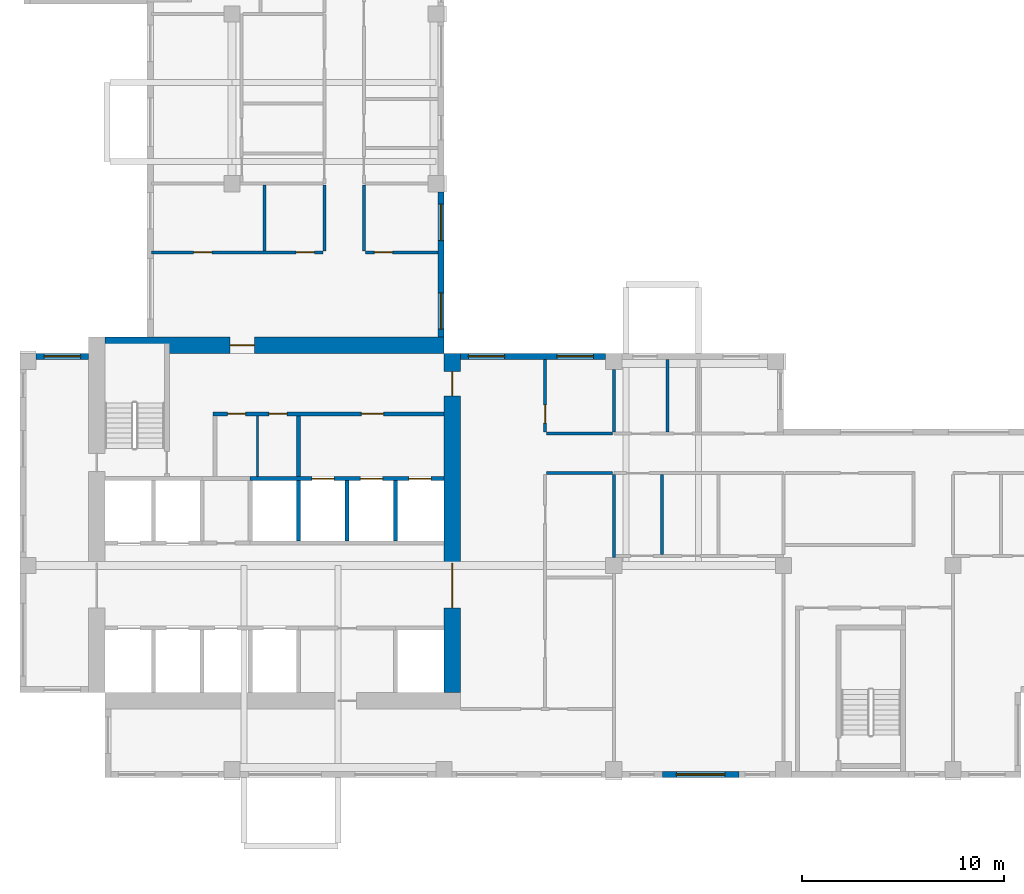
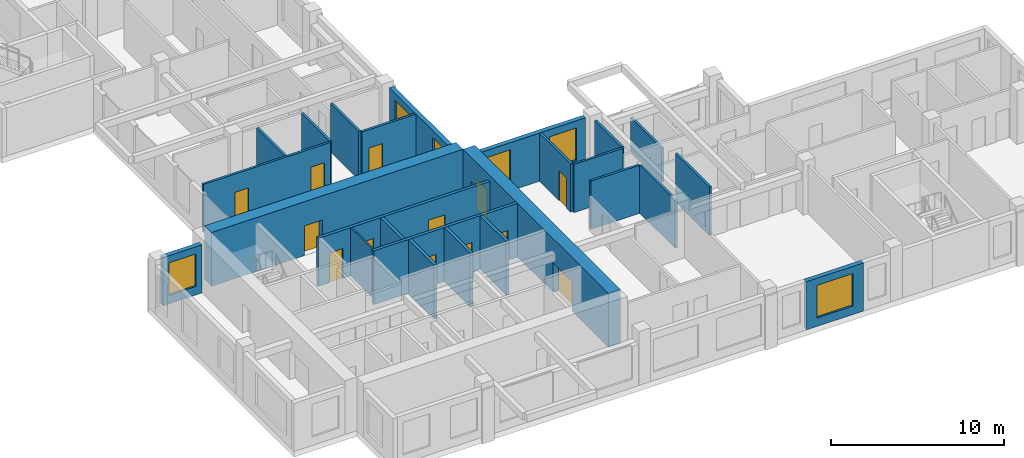
# One storey, part 3 of 11: 25 walls, 13 doors, 6 windows, 19 openings.
"""IFC4 building model written with IfcOpenShell, lengths in metres."""

from ifc_helpers import new_model, si_unit, direction, frame, frame_2d, origin, place, context, subcontext, project, spatial, rectangle, extrude, source, transform, mapped, material, layer, layer_set, type_object, element, fill, save


model = new_model("IFC4")

# Units and contexts
model_context = context("Model", 3, precision=1e-05, world=origin(), true_north=direction((0.0, 1.0)))
body_context = subcontext(model_context, "Body", "Model", "MODEL_VIEW")
ifc_project = project(units=[si_unit("LENGTHUNIT", "METRE"), si_unit("AREAUNIT", "SQUARE_METRE"), si_unit("VOLUMEUNIT", "CUBIC_METRE"), si_unit("PLANEANGLEUNIT", "RADIAN"), si_unit("MASSUNIT", "GRAM", prefix="KILO")], contexts=[model_context])

# Site, building, storey
site_placement = place(None, origin())
site = spatial("IfcSite", under=ifc_project, at=site_placement, CompositionType="ELEMENT")
building_placement = place(site_placement, origin())
building = spatial("IfcBuilding", under=site, at=building_placement, Name="Aurelian Terraces", CompositionType="ELEMENT")
storey_placement = place(building_placement, frame((0.0, 0.0, 250.0)))
storey = spatial("IfcBuildingStorey", under=building, at=storey_placement, Name="L57", CompositionType="ELEMENT", Elevation=250.0)

# Wall, openings, doors
ifc_material_1 = material(Name="Concrete fc' 70 MPa", Category="concrete")
ifc_layer_1 = layer(ifc_material_1, 0.8)
ifc_layer_set_1 = layer_set([ifc_layer_1], Name="CORE WALL 800 FC70")
wall_type_1 = type_object("IfcWallType", Name="CORE WALL 800 FC70", PredefinedType="SHEAR", material=ifc_layer_set_1)
shared_shape_1 = source(origin(), body_context, "Body", "SweptSolid", [
    extrude(rectangle(XDim=16.8, YDim=0.8, at=frame_2d((8.4, 0.0))), origin(), (0.0, 0.0, 1.0), 3.8),
])
wall_1_placement = place(storey_placement, frame((21.4, 4.2, 0.0), z_axis=(0.0, 0.0, 1.0), x_axis=(0.0, 1.0, 0.0)))
wall_1 = element("IfcWall", 1, at=wall_1_placement, inside=storey, type_object=wall_type_1, Name="Core wall E L57", PredefinedType="SHEAR", context=body_context, shape_type="MappedRepresentation", body=[
    mapped(shared_shape_1, transform((0.0, 0.0, 0.0), scale=1.0)),
])
shared_shape_2 = source(origin(), body_context, "Body", "SweptSolid", [
    extrude(rectangle(XDim=2.2, YDim=2.1, at=frame_2d((1.1, 1.05))), frame((0.0, 0.41, 0.0), z_axis=(0.0, -1.0, 0.0), x_axis=(1.0, 0.0, 0.0)), (0.0, 0.0, 1.0), 0.82),
])
opening_1_placement = place(wall_1_placement, frame((4.2, 0.0, 0.0)))
opening_1 = element("IfcOpeningElement", 2, at=opening_1_placement, cuts=wall_1, Name="Opening 66021", PredefinedType="OPENING", context=body_context, shape_type="MappedRepresentation", body=[
    mapped(shared_shape_2, transform((0.0, 0.0, 0.0), scale=1.0)),
])
shared_shape_3 = source(origin(), body_context, "Body", "SweptSolid", [
    extrude(rectangle(XDim=1.2, YDim=2.1, at=frame_2d((0.6, 1.05))), frame((0.0, 0.41, 0.0), z_axis=(0.0, -1.0, 0.0), x_axis=(1.0, 0.0, 0.0)), (0.0, 0.0, 1.0), 0.82),
])
opening_2_placement = place(wall_1_placement, frame((14.7, 0.0, 0.0)))
opening_2 = element("IfcOpeningElement", 3, at=opening_2_placement, cuts=wall_1, Name="Opening 66024", PredefinedType="OPENING", context=body_context, shape_type="MappedRepresentation", body=[
    mapped(shared_shape_3, transform((0.0, 0.0, 0.0), scale=1.0)),
])
ifc_material_2 = material(Name="Steel door leaf", Category="steel")
door_type_1 = type_object("IfcDoorType", Name="Core fire door 1200x2100 right", OperationType="SINGLE_SWING_RIGHT", PredefinedType="DOOR", material=ifc_material_2)
shared_shape_4 = source(origin(), body_context, "Body", "SweptSolid", [
    extrude(rectangle(XDim=1.2, YDim=2.1, at=frame_2d((0.6, 1.05))), frame((0.0, 0.025, 0.0), z_axis=(0.0, -1.0, 0.0), x_axis=(1.0, 0.0, 0.0)), (0.0, 0.0, 1.0), 0.05),
])
door_1_placement = place(opening_2_placement, origin())
door_1 = element("IfcDoor", 4, at=door_1_placement, inside=storey, type_object=door_type_1, Name="Core door 66024", OperationType="SINGLE_SWING_RIGHT", OverallHeight=2.1, OverallWidth=1.2, PredefinedType="DOOR", context=body_context, shape_type="MappedRepresentation", body=[
    mapped(shared_shape_4, transform((0.0, 0.0, 0.0), scale=1.0)),
])
fill(opening_2, door_1)
door_type_2 = type_object("IfcDoorType", Name="Core double door 2200x2100", OperationType="DOUBLE_DOOR_SINGLE_SWING", PredefinedType="DOOR", material=ifc_material_2)
shared_shape_5 = source(origin(), body_context, "Body", "SweptSolid", [
    extrude(rectangle(XDim=2.2, YDim=2.1, at=frame_2d((1.1, 1.05))), frame((0.0, 0.025, 0.0), z_axis=(0.0, -1.0, 0.0), x_axis=(1.0, 0.0, 0.0)), (0.0, 0.0, 1.0), 0.05),
])
door_2_placement = place(opening_1_placement, origin())
door_2 = element("IfcDoor", 5, at=door_2_placement, inside=storey, type_object=door_type_2, Name="Core door 66021", OperationType="DOUBLE_DOOR_SINGLE_SWING", OverallHeight=2.1, OverallWidth=2.2, PredefinedType="DOOR", context=body_context, shape_type="MappedRepresentation", body=[
    mapped(shared_shape_5, transform((0.0, 0.0, 0.0), scale=1.0)),
])
fill(opening_1, door_2)

# Wall, opening, door
wall_2_placement = place(storey_placement, frame((4.2, 21.4, 0.0), z_axis=(0.0, 0.0, 1.0), x_axis=(1.0, 0.0, 0.0)))
wall_2 = element("IfcWall", 6, at=wall_2_placement, inside=storey, type_object=wall_type_1, Name="Core wall N L57", PredefinedType="SHEAR", context=body_context, shape_type="MappedRepresentation", body=[
    mapped(shared_shape_1, transform((0.0, 0.0, 0.0), scale=1.0)),
])
opening_3_placement = place(wall_2_placement, frame((6.2, 0.0, 0.0)))
opening_3 = element("IfcOpeningElement", 7, at=opening_3_placement, cuts=wall_2, Name="Opening 66023", PredefinedType="OPENING", context=body_context, shape_type="MappedRepresentation", body=[
    mapped(shared_shape_3, transform((0.0, 0.0, 0.0), scale=1.0)),
])
door_type_3 = type_object("IfcDoorType", Name="Core fire door 1200x2100", OperationType="SINGLE_SWING_LEFT", PredefinedType="DOOR", material=ifc_material_2)
door_3_placement = place(opening_3_placement, origin())
door_3 = element("IfcDoor", 8, at=door_3_placement, inside=storey, type_object=door_type_3, Name="Core door 66023", OperationType="SINGLE_SWING_LEFT", OverallHeight=2.1, OverallWidth=1.2, PredefinedType="DOOR", context=body_context, shape_type="MappedRepresentation", body=[
    mapped(shared_shape_4, transform((0.0, 0.0, 0.0), scale=1.0)),
])
fill(opening_3, door_3)

# Wall, opening, window
ifc_material_3 = material(Name="Concrete fc' 40 MPa", Category="concrete")
ifc_layer_2 = layer(ifc_material_3, 0.3)
ifc_layer_set_2 = layer_set([ifc_layer_2], Name="STAIR BAY WALL 300")
wall_type_2 = type_object("IfcWallType", Name="STAIR BAY WALL 300", PredefinedType="SOLIDWALL", material=ifc_layer_set_2)
shared_shape_6 = source(origin(), body_context, "Body", "SweptSolid", [
    extrude(rectangle(XDim=3.8, YDim=0.3, at=frame_2d((1.9, 0.0))), origin(), (0.0, 0.0, 1.0), 3.4),
])
wall_3_placement = place(storey_placement, frame((31.8, 0.15, 0.0), z_axis=(0.0, 0.0, 1.0), x_axis=(1.0, 0.0, 0.0)))
wall_3 = element("IfcWall", 9, at=wall_3_placement, inside=storey, type_object=wall_type_2, Name="Bearing wall L57 F01.4", PredefinedType="SOLIDWALL", context=body_context, shape_type="MappedRepresentation", body=[
    mapped(shared_shape_6, transform((0.0, 0.0, 0.0), scale=1.0)),
])
shared_shape_7 = source(origin(), body_context, "Body", "SweptSolid", [
    extrude(rectangle(XDim=2.4, YDim=2.3, at=frame_2d((1.2, 1.15))), frame((0.0, 0.16, 0.0), z_axis=(0.0, -1.0, 0.0), x_axis=(1.0, 0.0, 0.0)), (0.0, 0.0, 1.0), 0.32),
])
opening_4_placement = place(wall_3_placement, frame((0.7, 0.0, 0.6)))
opening_4 = element("IfcOpeningElement", 10, at=opening_4_placement, cuts=wall_3, Name="Opening W2423", PredefinedType="OPENING", context=body_context, shape_type="MappedRepresentation", body=[
    mapped(shared_shape_7, transform((0.0, 0.0, 0.0), scale=1.0)),
])
ifc_material_4 = material(Name="Clear glazing", Category="glass")
window_type_1 = type_object("IfcWindowType", Name="W-2400x2300", PartitioningType="SINGLE_PANEL", PredefinedType="WINDOW", material=ifc_material_4)
shared_shape_8 = source(origin(), body_context, "Body", "SweptSolid", [
    extrude(rectangle(XDim=2.4, YDim=2.3, at=frame_2d((1.2, 1.15))), frame((0.0, 0.03, 0.0), z_axis=(0.0, -1.0, 0.0), x_axis=(1.0, 0.0, 0.0)), (0.0, 0.0, 1.0), 0.06),
])
window_1_placement = place(opening_4_placement, origin())
window_1 = element("IfcWindow", 11, at=window_1_placement, inside=storey, type_object=window_type_1, Name="Window L57 L57-F01-04-P1", OverallHeight=2.3, OverallWidth=2.4, PartitioningType="SINGLE_PANEL", PredefinedType="WINDOW", context=body_context, shape_type="MappedRepresentation", body=[
    mapped(shared_shape_8, transform((0.0, 0.0, 0.0), scale=1.0)),
])
fill(opening_4, window_1)

# Wall, openings, windows
ifc_material_5 = material(Name="Terracotta rainscreen cladding", Category="masonry")
ifc_layer_3 = layer(ifc_material_5, 0.3)
ifc_layer_set_3 = layer_set([ifc_layer_3], Name="EW-300")
wall_type_3 = type_object("IfcWallType", Name="EW-300", PredefinedType="STANDARD", material=ifc_layer_set_3)
shared_shape_9 = source(origin(), body_context, "Body", "SweptSolid", [
    extrude(rectangle(XDim=7.2, YDim=0.3, at=frame_2d((3.6, 0.0))), origin(), (0.0, 0.0, 1.0), 3.4),
])
wall_4_placement = place(storey_placement, frame((29.0, 20.85, 0.0), z_axis=(0.0, 0.0, 1.0), x_axis=(-1.0, 0.0, 0.0)))
wall_4 = element("IfcWall", 12, at=wall_4_placement, inside=storey, type_object=wall_type_3, Name="External wall L57 F07.16", PredefinedType="STANDARD", context=body_context, shape_type="MappedRepresentation", body=[
    mapped(shared_shape_9, transform((0.0, 0.0, 0.0), scale=1.0)),
])
shared_shape_10 = source(origin(), body_context, "Body", "SweptSolid", [
    extrude(rectangle(XDim=1.8, YDim=2.3, at=frame_2d((0.9, 1.15))), frame((0.0, 0.16, 0.0), z_axis=(0.0, -1.0, 0.0), x_axis=(1.0, 0.0, 0.0)), (0.0, 0.0, 1.0), 0.32),
])
opening_5_placement = place(wall_4_placement, frame((0.6125, 0.0, 0.6)))
opening_5 = element("IfcOpeningElement", 13, at=opening_5_placement, cuts=wall_4, Name="Opening W1823", PredefinedType="OPENING", context=body_context, shape_type="MappedRepresentation", body=[
    mapped(shared_shape_10, transform((0.0, 0.0, 0.0), scale=1.0)),
])
opening_6_placement = place(wall_4_placement, frame((5.0, 0.0, 0.6)))
opening_6 = element("IfcOpeningElement", 14, at=opening_6_placement, cuts=wall_4, Name="Opening W1823", PredefinedType="OPENING", context=body_context, shape_type="MappedRepresentation", body=[
    mapped(shared_shape_10, transform((0.0, 0.0, 0.0), scale=1.0)),
])
window_type_2 = type_object("IfcWindowType", Name="W-1800x2300", PartitioningType="SINGLE_PANEL", PredefinedType="WINDOW", material=ifc_material_4)
shared_shape_11 = source(origin(), body_context, "Body", "SweptSolid", [
    extrude(rectangle(XDim=1.8, YDim=2.3, at=frame_2d((0.9, 1.15))), frame((0.0, 0.03, 0.0), z_axis=(0.0, -1.0, 0.0), x_axis=(1.0, 0.0, 0.0)), (0.0, 0.0, 1.0), 0.06),
])
window_2_placement = place(opening_5_placement, origin())
window_2 = element("IfcWindow", 15, at=window_2_placement, inside=storey, type_object=window_type_2, Name="Window L57 L57-F07-16-0", OverallHeight=2.3, OverallWidth=1.8, PartitioningType="SINGLE_PANEL", PredefinedType="WINDOW", context=body_context, shape_type="MappedRepresentation", body=[
    mapped(shared_shape_11, transform((0.0, 0.0, 0.0), scale=1.0)),
])
fill(opening_5, window_2)
window_3_placement = place(opening_6_placement, origin())
window_3 = element("IfcWindow", 16, at=window_3_placement, inside=storey, type_object=window_type_2, Name="Window L57 L57-F07-16-1", OverallHeight=2.3, OverallWidth=1.8, PartitioningType="SINGLE_PANEL", PredefinedType="WINDOW", context=body_context, shape_type="MappedRepresentation", body=[
    mapped(shared_shape_11, transform((0.0, 0.0, 0.0), scale=1.0)),
])
fill(opening_6, window_3)

wall_5_placement = place(storey_placement, frame((20.85, 21.8, 0.0), z_axis=(0.0, 0.0, 1.0), x_axis=(0.0, 1.0, 0.0)))
wall_5 = element("IfcWall", 17, at=wall_5_placement, inside=storey, type_object=wall_type_3, Name="External wall L57 F08.17", PredefinedType="STANDARD", context=body_context, shape_type="MappedRepresentation", body=[
    mapped(shared_shape_9, transform((0.0, 0.0, 0.0), scale=1.0)),
])
opening_7_placement = place(wall_5_placement, frame((0.4, 0.0, 0.6)))
opening_7 = element("IfcOpeningElement", 18, at=opening_7_placement, cuts=wall_5, Name="Opening W1823", PredefinedType="OPENING", context=body_context, shape_type="MappedRepresentation", body=[
    mapped(shared_shape_10, transform((0.0, 0.0, 0.0), scale=1.0)),
])
opening_8_placement = place(wall_5_placement, frame((4.7875, 0.0, 0.6)))
opening_8 = element("IfcOpeningElement", 19, at=opening_8_placement, cuts=wall_5, Name="Opening W1823", PredefinedType="OPENING", context=body_context, shape_type="MappedRepresentation", body=[
    mapped(shared_shape_10, transform((0.0, 0.0, 0.0), scale=1.0)),
])
window_4_placement = place(opening_7_placement, origin())
window_4 = element("IfcWindow", 20, at=window_4_placement, inside=storey, type_object=window_type_2, Name="Window L57 L57-F08-17-0", OverallHeight=2.3, OverallWidth=1.8, PartitioningType="SINGLE_PANEL", PredefinedType="WINDOW", context=body_context, shape_type="MappedRepresentation", body=[
    mapped(shared_shape_11, transform((0.0, 0.0, 0.0), scale=1.0)),
])
fill(opening_7, window_4)
window_5_placement = place(opening_8_placement, origin())
window_5 = element("IfcWindow", 21, at=window_5_placement, inside=storey, type_object=window_type_2, Name="Window L57 L57-F08-17-1", OverallHeight=2.3, OverallWidth=1.8, PartitioningType="SINGLE_PANEL", PredefinedType="WINDOW", context=body_context, shape_type="MappedRepresentation", body=[
    mapped(shared_shape_11, transform((0.0, 0.0, 0.0), scale=1.0)),
])
fill(opening_8, window_5)

# Wall, opening, window
shared_shape_12 = source(origin(), body_context, "Body", "SweptSolid", [
    extrude(rectangle(XDim=2.6, YDim=0.3, at=frame_2d((1.3, 0.0))), origin(), (0.0, 0.0, 1.0), 3.4),
])
wall_6_placement = place(storey_placement, frame((3.4, 20.85, 0.0), z_axis=(0.0, 0.0, 1.0), x_axis=(-1.0, 0.0, 0.0)))
wall_6 = element("IfcWall", 22, at=wall_6_placement, inside=storey, type_object=wall_type_3, Name="External wall L57 F19.32", PredefinedType="STANDARD", context=body_context, shape_type="MappedRepresentation", body=[
    mapped(shared_shape_12, transform((0.0, 0.0, 0.0), scale=1.0)),
])
opening_9_placement = place(wall_6_placement, frame((0.4, 0.0, 0.6)))
opening_9 = element("IfcOpeningElement", 23, at=opening_9_placement, cuts=wall_6, Name="Opening W1823", PredefinedType="OPENING", context=body_context, shape_type="MappedRepresentation", body=[
    mapped(shared_shape_10, transform((0.0, 0.0, 0.0), scale=1.0)),
])
window_6_placement = place(opening_9_placement, origin())
window_6 = element("IfcWindow", 24, at=window_6_placement, inside=storey, type_object=window_type_2, Name="Window L57 L57-F19-32-0", OverallHeight=2.3, OverallWidth=1.8, PartitioningType="SINGLE_PANEL", PredefinedType="WINDOW", context=body_context, shape_type="MappedRepresentation", body=[
    mapped(shared_shape_11, transform((0.0, 0.0, 0.0), scale=1.0)),
])
fill(opening_9, window_6)

# Walls
ifc_layer_4 = layer(ifc_material_3, 0.2)
ifc_layer_set_4 = layer_set([ifc_layer_4], Name="Lift shaft wall 200")
wall_type_4 = type_object("IfcWallType", Name="Lift shaft wall 200", PredefinedType="SOLIDWALL", material=ifc_layer_set_4)
shared_shape_13 = source(origin(), body_context, "Body", "SweptSolid", [
    extrude(rectangle(XDim=3.0, YDim=0.2, at=frame_2d((1.5, 0.0))), origin(), (0.0, 0.0, 1.0), 3.8),
])
for number, where, z_axis, x_axis, name in (
    (25, (13.8, 11.7, 0.0), (0.0, 0.0, 1.0), (0.0, 1.0, 0.0), "L57 core wall CD-B4"),
    (26, (16.2, 11.7, 0.0), (0.0, 0.0, 1.0), (0.0, 1.0, 0.0), "L57 core wall CD-B5"),
    (27, (18.6, 11.7, 0.0), (0.0, 0.0, 1.0), (0.0, 1.0, 0.0), "L57 core wall CD-B6"),
):
    element("IfcWall", number, at=place(storey_placement, frame(where, z_axis=z_axis, x_axis=x_axis)), inside=storey, type_object=wall_type_4, Name=name, PredefinedType="SOLIDWALL", context=body_context, shape_type="MappedRepresentation", body=[
        mapped(shared_shape_13, transform((0.0, 0.0, 0.0), scale=1.0)),
    ])

# Wall, openings, doors
shared_shape_14 = source(origin(), body_context, "Body", "SweptSolid", [
    extrude(rectangle(XDim=9.6, YDim=0.2, at=frame_2d((4.8, 0.0))), origin(), (0.0, 0.0, 1.0), 3.8),
])
wall_7_placement = place(storey_placement, frame((11.4, 14.8, 0.0), z_axis=(0.0, 0.0, 1.0), x_axis=(1.0, 0.0, 0.0)))
wall_7 = element("IfcWall", 28, at=wall_7_placement, inside=storey, type_object=wall_type_4, Name="L57 core wall CF-BB3", PredefinedType="SOLIDWALL", context=body_context, shape_type="MappedRepresentation", body=[
    mapped(shared_shape_14, transform((0.0, 0.0, 0.0), scale=1.0)),
])
shared_shape_15 = source(origin(), body_context, "Body", "SweptSolid", [
    extrude(rectangle(XDim=1.1, YDim=2.1, at=frame_2d((0.55, 1.05))), frame((0.0, 0.11, 0.0), z_axis=(0.0, -1.0, 0.0), x_axis=(1.0, 0.0, 0.0)), (0.0, 0.0, 1.0), 0.22),
])
opening_10_placement = place(wall_7_placement, frame((3.05, 0.0, 0.0)))
opening_10 = element("IfcOpeningElement", 29, at=opening_10_placement, cuts=wall_7, Name="Opening 66008", PredefinedType="OPENING", context=body_context, shape_type="MappedRepresentation", body=[
    mapped(shared_shape_15, transform((0.0, 0.0, 0.0), scale=1.0)),
])
opening_11_placement = place(wall_7_placement, frame((5.45, 0.0, 0.0)))
opening_11 = element("IfcOpeningElement", 30, at=opening_11_placement, cuts=wall_7, Name="Opening 66009", PredefinedType="OPENING", context=body_context, shape_type="MappedRepresentation", body=[
    mapped(shared_shape_15, transform((0.0, 0.0, 0.0), scale=1.0)),
])
opening_12_placement = place(wall_7_placement, frame((7.85, 0.0, 0.0)))
opening_12 = element("IfcOpeningElement", 31, at=opening_12_placement, cuts=wall_7, Name="Opening 66010", PredefinedType="OPENING", context=body_context, shape_type="MappedRepresentation", body=[
    mapped(shared_shape_15, transform((0.0, 0.0, 0.0), scale=1.0)),
])
ifc_material_6 = material(Name="Stainless steel", Category="steel")
door_type_4 = type_object("IfcDoorType", Name="Lift landing door 1100x2100", OperationType="SLIDING_TO_LEFT", PredefinedType="DOOR", material=ifc_material_6)
shared_shape_16 = source(origin(), body_context, "Body", "SweptSolid", [
    extrude(rectangle(XDim=1.1, YDim=2.1, at=frame_2d((0.55, 1.05))), frame((0.0, 0.025, 0.0), z_axis=(0.0, -1.0, 0.0), x_axis=(1.0, 0.0, 0.0)), (0.0, 0.0, 1.0), 0.05),
])
door_4_placement = place(opening_10_placement, origin())
door_4 = element("IfcDoor", 32, at=door_4_placement, inside=storey, type_object=door_type_4, Name="Lift landing door F1 L57", OperationType="SLIDING_TO_LEFT", OverallHeight=2.1, OverallWidth=1.1, PredefinedType="DOOR", context=body_context, shape_type="MappedRepresentation", body=[
    mapped(shared_shape_16, transform((0.0, 0.0, 0.0), scale=1.0)),
])
fill(opening_10, door_4)
door_5_placement = place(opening_11_placement, origin())
door_5 = element("IfcDoor", 33, at=door_5_placement, inside=storey, type_object=door_type_4, Name="Lift landing door F2 L57", OperationType="SLIDING_TO_LEFT", OverallHeight=2.1, OverallWidth=1.1, PredefinedType="DOOR", context=body_context, shape_type="MappedRepresentation", body=[
    mapped(shared_shape_16, transform((0.0, 0.0, 0.0), scale=1.0)),
])
fill(opening_11, door_5)
door_6_placement = place(opening_12_placement, origin())
door_6 = element("IfcDoor", 34, at=door_6_placement, inside=storey, type_object=door_type_4, Name="Lift landing door F3 L57", OperationType="SLIDING_TO_LEFT", OverallHeight=2.1, OverallWidth=1.1, PredefinedType="DOOR", context=body_context, shape_type="MappedRepresentation", body=[
    mapped(shared_shape_16, transform((0.0, 0.0, 0.0), scale=1.0)),
])
fill(opening_12, door_6)

# Walls
ifc_material_7 = material(Name="Gypsum board on steel studs", Category="steel")
ifc_layer_5 = layer(ifc_material_7, 0.2)
ifc_layer_set_5 = layer_set([ifc_layer_5], Name="Core partition 200")
wall_type_5 = type_object("IfcWallType", Name="Core partition 200", PredefinedType="PARTITIONING", material=ifc_layer_set_5)
shared_shape_17 = source(origin(), body_context, "Body", "SweptSolid", [
    extrude(rectangle(XDim=3.0, YDim=0.2, at=frame_2d((1.5, 0.0))), origin(), (0.0, 0.0, 1.0), 3.4),
])
wall_8_placement = place(storey_placement, frame((13.8, 14.9, 0.0), z_axis=(0.0, 0.0, 1.0), x_axis=(0.0, 1.0, 0.0)))
element("IfcWall", 35, at=wall_8_placement, inside=storey, type_object=wall_type_5, Name="L57 core wall CP-FFL", PredefinedType="PARTITIONING", context=body_context, shape_type="MappedRepresentation", body=[
    mapped(shared_shape_17, transform((0.0, 0.0, 0.0), scale=1.0)),
])
ifc_layer_6 = layer(ifc_material_7, 0.1)
ifc_layer_set_6 = layer_set([ifc_layer_6], Name="Core partition 100")
wall_type_6 = type_object("IfcWallType", Name="Core partition 100", PredefinedType="PARTITIONING", material=ifc_layer_set_6)
shared_shape_18 = source(origin(), body_context, "Body", "SweptSolid", [
    extrude(rectangle(XDim=3.0, YDim=0.1, at=frame_2d((1.5, 0.0))), origin(), (0.0, 0.0, 1.0), 3.4),
])
wall_9_placement = place(storey_placement, frame((11.75, 14.9, 0.0), z_axis=(0.0, 0.0, 1.0), x_axis=(0.0, 1.0, 0.0)))
element("IfcWall", 36, at=wall_9_placement, inside=storey, type_object=wall_type_6, Name="L57 core wall CP-SV1", PredefinedType="PARTITIONING", context=body_context, shape_type="MappedRepresentation", body=[
    mapped(shared_shape_18, transform((0.0, 0.0, 0.0), scale=1.0)),
])

# Wall, openings, doors
shared_shape_19 = source(origin(), body_context, "Body", "SweptSolid", [
    extrude(rectangle(XDim=11.45, YDim=0.2, at=frame_2d((5.725, 0.0))), origin(), (0.0, 0.0, 1.0), 3.4),
])
wall_10_placement = place(storey_placement, frame((9.55, 18.0, 0.0), z_axis=(0.0, 0.0, 1.0), x_axis=(1.0, 0.0, 0.0)))
wall_10 = element("IfcWall", 37, at=wall_10_placement, inside=storey, type_object=wall_type_5, Name="L57 core wall CP-NORTH", PredefinedType="PARTITIONING", context=body_context, shape_type="MappedRepresentation", body=[
    mapped(shared_shape_19, transform((0.0, 0.0, 0.0), scale=1.0)),
])
shared_shape_20 = source(origin(), body_context, "Body", "SweptSolid", [
    extrude(rectangle(XDim=0.9, YDim=2.1, at=frame_2d((0.45, 1.05))), frame((0.0, 0.11, 0.0), z_axis=(0.0, -1.0, 0.0), x_axis=(1.0, 0.0, 0.0)), (0.0, 0.0, 1.0), 0.22),
])
opening_13_placement = place(wall_10_placement, frame((0.725, 0.0, 0.0)))
opening_13 = element("IfcOpeningElement", 38, at=opening_13_placement, cuts=wall_10, Name="Opening 66012", PredefinedType="OPENING", context=body_context, shape_type="MappedRepresentation", body=[
    mapped(shared_shape_20, transform((0.0, 0.0, 0.0), scale=1.0)),
])
opening_14_placement = place(wall_10_placement, frame((2.775, 0.0, 0.0)))
opening_14 = element("IfcOpeningElement", 39, at=opening_14_placement, cuts=wall_10, Name="Opening 66013", PredefinedType="OPENING", context=body_context, shape_type="MappedRepresentation", body=[
    mapped(shared_shape_20, transform((0.0, 0.0, 0.0), scale=1.0)),
])
opening_15_placement = place(wall_10_placement, frame((7.35, 0.0, 0.0)))
opening_15 = element("IfcOpeningElement", 40, at=opening_15_placement, cuts=wall_10, Name="Opening 66014", PredefinedType="OPENING", context=body_context, shape_type="MappedRepresentation", body=[
    mapped(shared_shape_15, transform((0.0, 0.0, 0.0), scale=1.0)),
])
door_type_5 = type_object("IfcDoorType", Name="Core service door 900x2100", OperationType="SINGLE_SWING_LEFT", PredefinedType="DOOR", material=ifc_material_2)
shared_shape_21 = source(origin(), body_context, "Body", "SweptSolid", [
    extrude(rectangle(XDim=0.9, YDim=2.1, at=frame_2d((0.45, 1.05))), frame((0.0, 0.025, 0.0), z_axis=(0.0, -1.0, 0.0), x_axis=(1.0, 0.0, 0.0)), (0.0, 0.0, 1.0), 0.05),
])
door_7_placement = place(opening_13_placement, origin())
door_7 = element("IfcDoor", 41, at=door_7_placement, inside=storey, type_object=door_type_5, Name="Room door 66012", OperationType="SINGLE_SWING_LEFT", OverallHeight=2.1, OverallWidth=0.9, PredefinedType="DOOR", context=body_context, shape_type="MappedRepresentation", body=[
    mapped(shared_shape_21, transform((0.0, 0.0, 0.0), scale=1.0)),
])
fill(opening_13, door_7)
door_type_6 = type_object("IfcDoorType", Name="Core service door 900x2100 right", OperationType="SINGLE_SWING_RIGHT", PredefinedType="DOOR", material=ifc_material_2)
door_8_placement = place(opening_14_placement, origin())
door_8 = element("IfcDoor", 42, at=door_8_placement, inside=storey, type_object=door_type_6, Name="Room door 66013", OperationType="SINGLE_SWING_RIGHT", OverallHeight=2.1, OverallWidth=0.9, PredefinedType="DOOR", context=body_context, shape_type="MappedRepresentation", body=[
    mapped(shared_shape_21, transform((0.0, 0.0, 0.0), scale=1.0)),
])
fill(opening_14, door_8)
door_type_7 = type_object("IfcDoorType", Name="Core fire door 1100x2100", OperationType="SINGLE_SWING_LEFT", PredefinedType="DOOR", material=ifc_material_2)
door_9_placement = place(opening_15_placement, origin())
door_9 = element("IfcDoor", 43, at=door_9_placement, inside=storey, type_object=door_type_7, Name="Ff lobby door 66014", OperationType="SINGLE_SWING_LEFT", OverallHeight=2.1, OverallWidth=1.1, PredefinedType="DOOR", context=body_context, shape_type="MappedRepresentation", body=[
    mapped(shared_shape_16, transform((0.0, 0.0, 0.0), scale=1.0)),
])
fill(opening_15, door_9)

# Wall, opening, door
ifc_layer_7 = layer(ifc_material_7, 0.15)
ifc_layer_set_7 = layer_set([ifc_layer_7], Name="Partition 150")
wall_type_7 = type_object("IfcWallType", Name="Partition 150", PredefinedType="PARTITIONING", material=ifc_layer_set_7)
shared_shape_22 = source(origin(), body_context, "Body", "SweptSolid", [
    extrude(rectangle(XDim=3.6, YDim=0.15, at=frame_2d((1.8, 0.0))), origin(), (0.0, 0.0, 1.0), 3.4),
])
wall_11_placement = place(storey_placement, frame((26.0, 20.7, 0.0), z_axis=(0.0, 0.0, 1.0), x_axis=(0.0, -1.0, 0.0)))
wall_11 = element("IfcWall", 44, at=wall_11_placement, inside=storey, type_object=wall_type_7, Name="Partition", PredefinedType="PARTITIONING", context=body_context, shape_type="MappedRepresentation", body=[
    mapped(shared_shape_22, transform((0.0, 0.0, 0.0), scale=1.0)),
])
shared_shape_23 = source(origin(), body_context, "Body", "SweptSolid", [
    extrude(rectangle(XDim=0.9, YDim=2.1, at=frame_2d((0.45, 1.05))), frame((0.0, 0.085, 0.0), z_axis=(0.0, -1.0, 0.0), x_axis=(1.0, 0.0, 0.0)), (0.0, 0.0, 1.0), 0.17),
])
opening_16_placement = place(wall_11_placement, frame((2.25, 0.0, 0.0)))
opening_16 = element("IfcOpeningElement", 45, at=opening_16_placement, cuts=wall_11, Name="Opening 757003", PredefinedType="OPENING", context=body_context, shape_type="MappedRepresentation", body=[
    mapped(shared_shape_23, transform((0.0, 0.0, 0.0), scale=1.0)),
])
ifc_material_8 = material(Name="Timber door leaf", Category="wood")
door_type_8 = type_object("IfcDoorType", Name="Room door 900x2100 left", OperationType="SINGLE_SWING_LEFT", PredefinedType="DOOR", material=ifc_material_8)
door_10_placement = place(opening_16_placement, origin())
door_10 = element("IfcDoor", 46, at=door_10_placement, inside=storey, type_object=door_type_8, Name="Door 757003", OperationType="SINGLE_SWING_LEFT", OverallHeight=2.1, OverallWidth=0.9, PredefinedType="DOOR", context=body_context, shape_type="MappedRepresentation", body=[
    mapped(shared_shape_21, transform((0.0, 0.0, 0.0), scale=1.0)),
])
fill(opening_16, door_10)

wall_12_placement = place(storey_placement, frame((17.1, 26.0, 0.0), z_axis=(0.0, 0.0, 1.0), x_axis=(1.0, 0.0, 0.0)))
wall_12 = element("IfcWall", 47, at=wall_12_placement, inside=storey, type_object=wall_type_7, Name="Partition", PredefinedType="PARTITIONING", context=body_context, shape_type="MappedRepresentation", body=[
    mapped(shared_shape_22, transform((0.0, 0.0, 0.0), scale=1.0)),
])
opening_17_placement = place(wall_12_placement, frame((0.45, 0.0, 0.0)))
opening_17 = element("IfcOpeningElement", 48, at=opening_17_placement, cuts=wall_12, Name="Opening 757020", PredefinedType="OPENING", context=body_context, shape_type="MappedRepresentation", body=[
    mapped(shared_shape_23, transform((0.0, 0.0, 0.0), scale=1.0)),
])
door_11_placement = place(opening_17_placement, origin())
door_11 = element("IfcDoor", 49, at=door_11_placement, inside=storey, type_object=door_type_8, Name="Door 757020", OperationType="SINGLE_SWING_LEFT", OverallHeight=2.1, OverallWidth=0.9, PredefinedType="DOOR", context=body_context, shape_type="MappedRepresentation", body=[
    mapped(shared_shape_21, transform((0.0, 0.0, 0.0), scale=1.0)),
])
fill(opening_17, door_11)

# Wall, openings, doors
shared_shape_24 = source(origin(), body_context, "Body", "SweptSolid", [
    extrude(rectangle(XDim=8.495, YDim=0.15, at=frame_2d((4.2475, 0.0))), origin(), (0.0, 0.0, 1.0), 3.4),
])
wall_13_placement = place(storey_placement, frame((6.505, 26.0, 0.0), z_axis=(0.0, 0.0, 1.0), x_axis=(1.0, 0.0, 0.0)))
wall_13 = element("IfcWall", 50, at=wall_13_placement, inside=storey, type_object=wall_type_7, Name="Partition", PredefinedType="PARTITIONING", context=body_context, shape_type="MappedRepresentation", body=[
    mapped(shared_shape_24, transform((0.0, 0.0, 0.0), scale=1.0)),
])
opening_18_placement = place(wall_13_placement, frame((2.095, 0.0, 0.0)))
opening_18 = element("IfcOpeningElement", 51, at=opening_18_placement, cuts=wall_13, Name="Opening 757018", PredefinedType="OPENING", context=body_context, shape_type="MappedRepresentation", body=[
    mapped(shared_shape_23, transform((0.0, 0.0, 0.0), scale=1.0)),
])
opening_19_placement = place(wall_13_placement, frame((7.17, 0.0, 0.0)))
opening_19 = element("IfcOpeningElement", 52, at=opening_19_placement, cuts=wall_13, Name="Opening 757019", PredefinedType="OPENING", context=body_context, shape_type="MappedRepresentation", body=[
    mapped(shared_shape_23, transform((0.0, 0.0, 0.0), scale=1.0)),
])
door_12_placement = place(opening_18_placement, origin())
door_12 = element("IfcDoor", 53, at=door_12_placement, inside=storey, type_object=door_type_8, Name="Door 757018", OperationType="SINGLE_SWING_LEFT", OverallHeight=2.1, OverallWidth=0.9, PredefinedType="DOOR", context=body_context, shape_type="MappedRepresentation", body=[
    mapped(shared_shape_21, transform((0.0, 0.0, 0.0), scale=1.0)),
])
fill(opening_18, door_12)
door_type_9 = type_object("IfcDoorType", Name="Room door 900x2100 right", OperationType="SINGLE_SWING_RIGHT", PredefinedType="DOOR", material=ifc_material_8)
door_13_placement = place(opening_19_placement, origin())
door_13 = element("IfcDoor", 54, at=door_13_placement, inside=storey, type_object=door_type_9, Name="Door 757019", OperationType="SINGLE_SWING_RIGHT", OverallHeight=2.1, OverallWidth=0.9, PredefinedType="DOOR", context=body_context, shape_type="MappedRepresentation", body=[
    mapped(shared_shape_21, transform((0.0, 0.0, 0.0), scale=1.0)),
])
fill(opening_19, door_13)

# Walls
shared_shape_25 = source(origin(), body_context, "Body", "SweptSolid", [
    extrude(rectangle(XDim=3.6, YDim=0.15, at=frame_2d((1.8, 0.0))), origin(), (0.0, 0.0, 1.0), 2.4),
])
wall_14_placement = place(storey_placement, frame((32.067, 20.7, 0.0), z_axis=(0.0, 0.0, 1.0), x_axis=(0.0, -1.0, 0.0)))
element("IfcWall", 55, at=wall_14_placement, inside=storey, type_object=wall_type_7, Name="Partition", PredefinedType="PARTITIONING", context=body_context, shape_type="MappedRepresentation", body=[
    mapped(shared_shape_25, transform((0.0, 0.0, 0.0), scale=1.0)),
])
shared_shape_26 = source(origin(), body_context, "Body", "SweptSolid", [
    extrude(rectangle(XDim=3.95, YDim=0.15, at=frame_2d((1.975, 0.0))), origin(), (0.0, 0.0, 1.0), 3.4),
])
wall_15_placement = place(storey_placement, frame((31.7771, 11.05, 0.0), z_axis=(0.0, 0.0, 1.0), x_axis=(0.0, 1.0, 0.0)))
element("IfcWall", 56, at=wall_15_placement, inside=storey, type_object=wall_type_7, Name="Partition", PredefinedType="PARTITIONING", context=body_context, shape_type="MappedRepresentation", body=[
    mapped(shared_shape_26, transform((0.0, 0.0, 0.0), scale=1.0)),
])
shared_shape_27 = source(origin(), body_context, "Body", "SweptSolid", [
    extrude(rectangle(XDim=4.101, YDim=0.15, at=frame_2d((2.0505, 0.0))), origin(), (0.0, 0.0, 1.0), 3.4),
])
wall_16_placement = place(storey_placement, frame((29.4, 10.899, 0.0), z_axis=(0.0, 0.0, 1.0), x_axis=(0.0, 1.0, 0.0)))
element("IfcWall", 57, at=wall_16_placement, inside=storey, type_object=wall_type_7, Name="Partition", PredefinedType="PARTITIONING", context=body_context, shape_type="MappedRepresentation", body=[
    mapped(shared_shape_27, transform((0.0, 0.0, 0.0), scale=1.0)),
])
shared_shape_28 = source(origin(), body_context, "Body", "SweptSolid", [
    extrude(rectangle(XDim=3.101, YDim=0.15, at=frame_2d((1.5505, 0.0))), origin(), (0.0, 0.0, 1.0), 3.4),
])
wall_17_placement = place(storey_placement, frame((29.4, 17.1, 0.0), z_axis=(0.0, 0.0, 1.0), x_axis=(0.0, 1.0, 0.0)))
element("IfcWall", 58, at=wall_17_placement, inside=storey, type_object=wall_type_7, Name="Partition", PredefinedType="PARTITIONING", context=body_context, shape_type="MappedRepresentation", body=[
    mapped(shared_shape_28, transform((0.0, 0.0, 0.0), scale=1.0)),
])
ifc_layer_8 = layer(ifc_material_7, 0.15)
ifc_layer_set_8 = layer_set([ifc_layer_8], Name="Fire partition 150")
wall_type_8 = type_object("IfcWallType", Name="Fire partition 150", PredefinedType="PARTITIONING", material=ifc_layer_set_8)
shared_shape_29 = source(origin(), body_context, "Body", "SweptSolid", [
    extrude(rectangle(XDim=3.25, YDim=0.15, at=frame_2d((1.625, 0.0))), origin(), (0.0, 0.0, 1.0), 3.4),
])
for number, where, z_axis, x_axis, name in (
    (59, (29.325, 15.075, 0.0), (0.0, 0.0, 1.0), (-1.0, 0.0, 0.0), "Corridor wall"),
    (60, (26.075, 17.025, 0.0), (0.0, 0.0, 1.0), (1.0, 0.0, 0.0), "Corridor wall"),
):
    element("IfcWall", number, at=place(storey_placement, frame(where, z_axis=z_axis, x_axis=x_axis)), inside=storey, type_object=wall_type_8, Name=name, PredefinedType="PARTITIONING", context=body_context, shape_type="MappedRepresentation", body=[
        mapped(shared_shape_29, transform((0.0, 0.0, 0.0), scale=1.0)),
    ])
wall_18_placement = place(storey_placement, frame((12.1, 26.075, 0.0), z_axis=(0.0, 0.0, 1.0), x_axis=(0.0, 1.0, 0.0)))
element("IfcWall", 61, at=wall_18_placement, inside=storey, type_object=wall_type_7, Name="Partition", PredefinedType="PARTITIONING", context=body_context, shape_type="MappedRepresentation", body=[
    mapped(shared_shape_29, transform((0.0, 0.0, 0.0), scale=1.0)),
])
for number, where, z_axis, x_axis, name in (
    (62, (15.075, 26.075, 0.0), (0.0, 0.0, 1.0), (0.0, 1.0, 0.0), "Corridor wall"),
    (63, (17.025, 29.325, 0.0), (0.0, 0.0, 1.0), (0.0, -1.0, 0.0), "Corridor wall"),
):
    element("IfcWall", number, at=place(storey_placement, frame(where, z_axis=z_axis, x_axis=x_axis)), inside=storey, type_object=wall_type_8, Name=name, PredefinedType="PARTITIONING", context=body_context, shape_type="MappedRepresentation", body=[
        mapped(shared_shape_29, transform((0.0, 0.0, 0.0), scale=1.0)),
    ])

save(model, "model.ifc")
